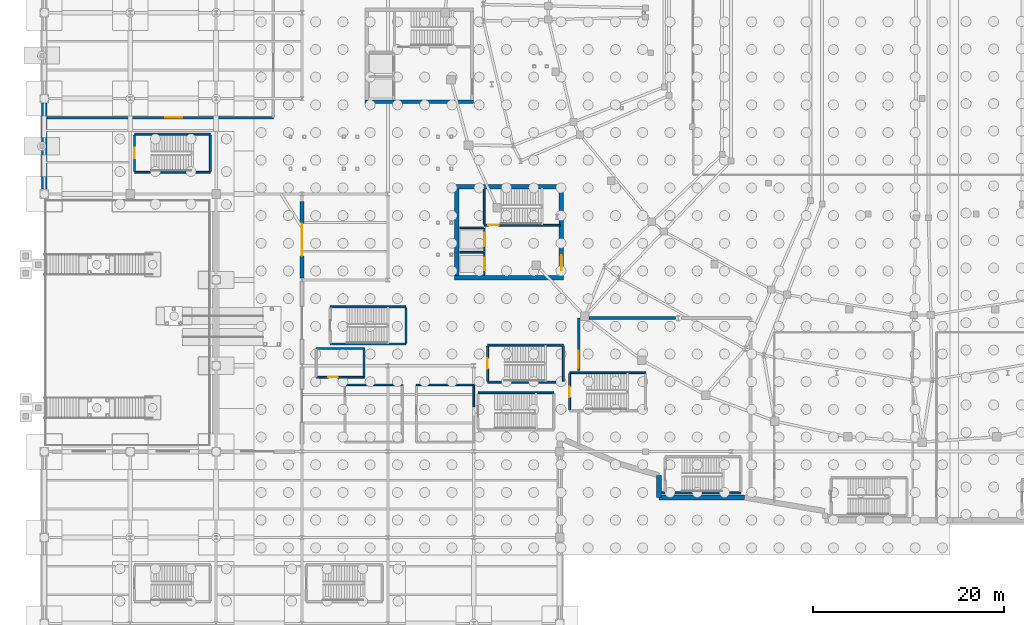
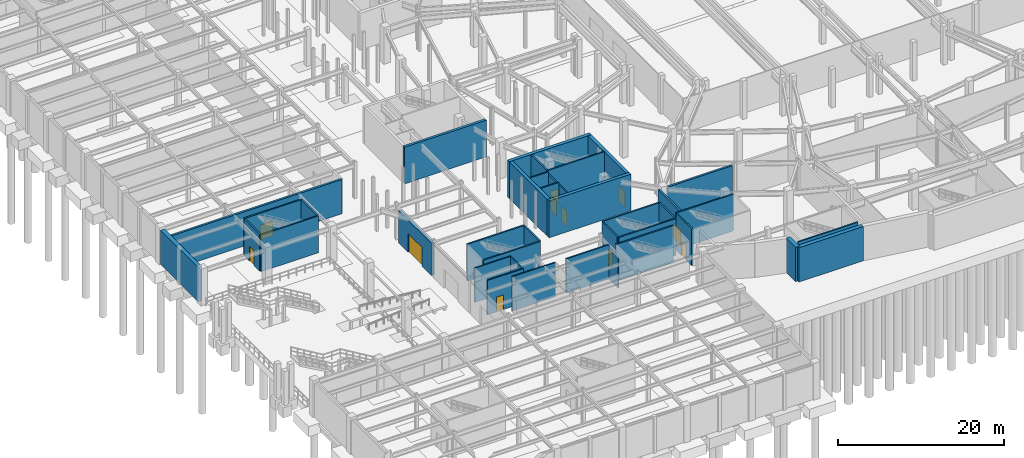
# One storey, part 42 of 56: 39 walls, 11 doors, 11 openings.
"""IFC4 building model written with IfcOpenShell, lengths in metres."""

from ifc_helpers import new_model, si_unit, direction, frame, frame_2d, origin, place, context, subcontext, project, spatial, rectangle, extrude, material, layer, layer_set, type_object, element, fill, save


model = new_model("IFC4")

# Units and contexts
model_context = context("Model", 3, precision=1e-05, world=origin(), true_north=direction((0.0, 1.0)))
body_context = subcontext(model_context, "Body", "Model", "MODEL_VIEW")
ifc_project = project(units=[si_unit("LENGTHUNIT", "METRE"), si_unit("AREAUNIT", "SQUARE_METRE"), si_unit("VOLUMEUNIT", "CUBIC_METRE"), si_unit("PLANEANGLEUNIT", "RADIAN"), si_unit("MASSUNIT", "GRAM", prefix="KILO")], contexts=[model_context])

# Site, building, storey
site_placement = place(None, origin())
site = spatial("IfcSite", under=ifc_project, at=site_placement, CompositionType="ELEMENT")
building_placement = place(site_placement, origin())
building = spatial("IfcBuilding", under=site, at=building_placement, Name="Glasvene Arena", CompositionType="ELEMENT")
storey_placement = place(building_placement, frame((0.0, 0.0, -5.39990234375)))
storey = spatial("IfcBuildingStorey", under=building, at=storey_placement, Name="B1", CompositionType="ELEMENT", Elevation=-5.39990234375)

# Walls
ifc_material_1 = material(Name="Concrete C40/50", Category="concrete")
ifc_layer_1 = layer(ifc_material_1, 0.35009765625)
ifc_layer_set_1 = layer_set([ifc_layer_1], Name="Concrete C40/50")
wall_type_1 = type_object("IfcWallType", Name="WL-CORE-350", PredefinedType="SHEAR", material=ifc_layer_set_1)
wall_1_placement = place(storey_placement, frame((33.60009765625, 63.675048828125, 0.0), z_axis=(0.0, 0.0, 1.0), x_axis=(1.0, 0.0, 0.0)))
element("IfcWall", 1, at=wall_1_placement, inside=storey, type_object=wall_type_1, Name="Core C5 West Media shear wall S B1", PredefinedType="SHEAR", context=body_context, shape_type="SweptSolid", body=[
    extrude(rectangle(XDim=11.39990234375, YDim=0.35009765625, at=frame_2d((5.699951171875, 0.0))), origin(), (0.0, 0.0, 1.0), 5.39990234375),
])
ifc_layer_2 = layer(ifc_material_1, 0.449951171875)
ifc_layer_set_2 = layer_set([ifc_layer_2], Name="Concrete C40/50")
wall_type_2 = type_object("IfcWallType", Name="WL-CORE-450", PredefinedType="SHEAR", material=ifc_layer_set_2)
for number, where, z_axis, x_axis, name in (
    (2, (43.0, 45.22509765625, 0.0), (0.0, 0.0, 1.0), (1.0, 0.0, 0.0), "Core C3 South-West shear wall S B1"),
    (3, (43.0, 54.77490234375, 0.0), (0.0, 0.0, 1.0), (1.0, 0.0, 0.0), "Core C3 South-West shear wall N B1"),
):
    element("IfcWall", number, at=place(storey_placement, frame(where, z_axis=z_axis, x_axis=x_axis)), inside=storey, type_object=wall_type_2, Name=name, PredefinedType="SHEAR", context=body_context, shape_type="SweptSolid", body=[
        extrude(rectangle(XDim=11.39990234375, YDim=0.449951171875, at=frame_2d((5.699951171875, 0.0))), origin(), (0.0, 0.0, 1.0), 5.39990234375),
    ])
wall_2_placement = place(storey_placement, frame((43.22509765625, 45.449951171875, 0.0), z_axis=(0.0, 0.0, 1.0), x_axis=(0.0, 1.0, 0.0)))
element("IfcWall", 4, at=wall_2_placement, inside=storey, type_object=wall_type_2, Name="Core C3 South-West shear wall W B1", PredefinedType="SHEAR", context=body_context, shape_type="SweptSolid", body=[
    extrude(rectangle(XDim=9.10009765625, YDim=0.449951171875, at=frame_2d((4.550048828125, 0.0))), origin(), (0.0, 0.0, 1.0), 5.39990234375),
])

# Wall, opening, door
wall_3_placement = place(storey_placement, frame((54.175048828125, 45.449951171875, 0.0), z_axis=(0.0, 0.0, 1.0), x_axis=(0.0, 1.0, 0.0)))
wall_3 = element("IfcWall", 5, at=wall_3_placement, inside=storey, type_object=wall_type_2, Name="Core C3 South-West shear wall E B1", PredefinedType="SHEAR", context=body_context, shape_type="SweptSolid", body=[
    extrude(rectangle(XDim=9.10009765625, YDim=0.449951171875, at=frame_2d((4.550048828125, 0.0))), origin(), (0.0, 0.0, 1.0), 5.39990234375),
])
opening_1_placement = place(wall_3_placement, frame((0.550048828125, 0.0, 0.0)))
opening_1 = element("IfcOpeningElement", 6, at=opening_1_placement, cuts=wall_3, Name="Opening D-02", PredefinedType="OPENING", context=body_context, shape_type="SweptSolid", body=[
    extrude(rectangle(XDim=1.60009765625, YDim=2.199951171875, at=frame_2d((0.800048828125, 1.10009765625))), frame((0.0, 0.23486328125, 0.0), z_axis=(0.0, -1.0, 0.0), x_axis=(1.0, 0.0, 0.0)), (0.0, 0.0, 1.0), 0.469970703125),
])
ifc_material_2 = material(Name="Painted fire-resisting steel", Category="steel")
door_type_1 = type_object("IfcDoorType", Name="DR-FD60-1600", OperationType="DOUBLE_DOOR_SINGLE_SWING", PredefinedType="DOOR", material=ifc_material_2)
door_1_placement = place(opening_1_placement, frame((1.60009765625, 0.0, 0.0), z_axis=(0.0, 0.0, 1.0), x_axis=(-1.0, 0.0, 0.0)))
door_1 = element("IfcDoor", 7, at=door_1_placement, inside=storey, type_object=door_type_1, Name="Core firefighting lobby concourse door C3-B1", OperationType="DOUBLE_DOOR_SINGLE_SWING", OverallHeight=2.199951171875, OverallWidth=1.60009765625, PredefinedType="DOOR", context=body_context, shape_type="SweptSolid", body=[
    extrude(rectangle(XDim=1.60009765625, YDim=2.199951171875, at=frame_2d((0.800048828125, 1.10009765625))), frame((0.0, 0.02490234375, 0.0), z_axis=(0.0, -1.0, 0.0), x_axis=(1.0, 0.0, 0.0)), (0.0, 0.0, 1.0), 0.050048828125),
])
fill(opening_1, door_1)

ifc_material_3 = material(Name="Coursed pale Irish limestone", Category="masonry")
ifc_layer_3 = layer(ifc_material_3, 0.39990234375)
ifc_layer_set_3 = layer_set([ifc_layer_3], Name="Coursed pale Irish limestone")
wall_type_3 = type_object("IfcWallType", Name="WL-EXT-LIM-400", PredefinedType="STANDARD", material=ifc_layer_set_3)
wall_4_placement = place(storey_placement, frame((27.0, 45.21044921875, 0.0), z_axis=(0.0, 0.0, 1.0), x_axis=(0.0, 1.0, 0.0)))
wall_4 = element("IfcWall", 8, at=wall_4_placement, inside=storey, type_object=wall_type_3, Name="Metro forecourt limestone portal wall EW-B1-MET-E3", PredefinedType="STANDARD", context=body_context, shape_type="SweptSolid", body=[
    extrude(rectangle(XDim=7.989501953125, YDim=0.39990234375, at=frame_2d((3.99462890625, 0.0))), origin(), (0.0, 0.0, 1.0), 4.73486328125),
])
opening_2_placement = place(wall_4_placement, frame((2.294921875, 0.0, 0.0)))
opening_2 = element("IfcOpeningElement", 9, at=opening_2_placement, cuts=wall_4, Name="Opening E-MET", PredefinedType="OPENING", context=body_context, shape_type="SweptSolid", body=[
    extrude(rectangle(XDim=3.39990234375, YDim=2.75, at=frame_2d((1.699951171875, 1.375))), frame((0.0, 0.2099609375, 0.0), z_axis=(0.0, -1.0, 0.0), x_axis=(1.0, 0.0, 0.0)), (0.0, 0.0, 1.0), 0.419921875),
])
ifc_material_4 = material(Name="Anodised architectural aluminium", Category="aluminium")
door_type_2 = type_object("IfcDoorType", Name="DR-ENT-3400", OperationType="DOUBLE_DOOR_SINGLE_SWING", PredefinedType="DOOR", material=ifc_material_4)
door_2_placement = place(opening_2_placement, frame((3.39990234375, 0.0, 0.0), z_axis=(0.0, 0.0, 1.0), x_axis=(-1.0, 0.0, 0.0)))
door_2 = element("IfcDoor", 10, at=door_2_placement, inside=storey, type_object=door_type_2, Name="Metro concourse arrival entrance M-E3", OperationType="DOUBLE_DOOR_SINGLE_SWING", OverallHeight=2.75, OverallWidth=3.39990234375, PredefinedType="DOOR", context=body_context, shape_type="SweptSolid", body=[
    extrude(rectangle(XDim=3.39990234375, YDim=2.75, at=frame_2d((1.699951171875, 1.375))), frame((0.0, 0.02490234375, 0.0), z_axis=(0.0, -1.0, 0.0), x_axis=(1.0, 0.0, 0.0)), (0.0, 0.0, 1.0), 0.050048828125),
])
fill(opening_2, door_2)

# Walls
ifc_layer_4 = layer(ifc_material_1, 0.550048828125)
ifc_layer_set_4 = layer_set([ifc_layer_4], Name="Concrete C40/50")
wall_type_4 = type_object("IfcWallType", Name="WL-RET-550", PredefinedType="SOLIDWALL", material=ifc_layer_set_4)
wall_5_placement = place(storey_placement, frame((0.0, 54.5, 0.0), z_axis=(0.0, 0.0, 1.0), x_axis=(0.0, 1.0, 0.0)))
element("IfcWall", 11, at=wall_5_placement, inside=storey, type_object=wall_type_4, Name="Basement retaining wall B1-001", PredefinedType="SOLIDWALL", context=body_context, shape_type="SweptSolid", body=[
    extrude(rectangle(XDim=9.048095703125, YDim=0.550048828125, at=frame_2d((4.52392578125, 0.0))), origin(), (0.0, 0.0, 1.0), 5.039794921875),
])
wall_6_placement = place(storey_placement, frame((73.379638671875, 22.199951171875, 0.0), z_axis=(0.0, 0.0, 1.0), x_axis=(-1.0, 0.0, 0.0)))
element("IfcWall", 12, at=wall_6_placement, inside=storey, type_object=wall_type_4, Name="Basement retaining wall B1-058", PredefinedType="SOLIDWALL", context=body_context, shape_type="SweptSolid", body=[
    extrude(rectangle(XDim=8.979736328125, YDim=0.550048828125, at=frame_2d((4.48974609375, 0.0))), origin(), (0.0, 0.0, 1.0), 5.039794921875),
])
wall_7_placement = place(storey_placement, frame((64.39990234375, 22.199951171875, 0.0), z_axis=(0.0, 0.0, 1.0), x_axis=(0.0, 1.0, 0.0)))
element("IfcWall", 13, at=wall_7_placement, inside=storey, type_object=wall_type_4, Name="Basement retaining wall B1-059", PredefinedType="SOLIDWALL", context=body_context, shape_type="SweptSolid", body=[
    extrude(rectangle(XDim=2.314208984375, YDim=0.550048828125, at=frame_2d((1.1572265625, 0.0))), origin(), (0.0, 0.0, 1.0), 5.039794921875),
])

# Wall, opening, door
ifc_layer_5 = layer(ifc_material_1, 0.199951171875)
ifc_layer_set_5 = layer_set([ifc_layer_5], Name="Concrete C40/50")
wall_type_5 = type_object("IfcWallType", Name="WL-SHAFT-200", PredefinedType="SHEAR", material=ifc_layer_set_5)
wall_8_placement = place(storey_placement, frame((46.10009765625, 45.449951171875, 0.0), z_axis=(0.0, 0.0, 1.0), x_axis=(0.0, 1.0, 0.0)))
wall_8 = element("IfcWall", 14, at=wall_8_placement, inside=storey, type_object=wall_type_5, Name="Lift shaft front wall FFL-03 B1", PredefinedType="SHEAR", context=body_context, shape_type="SweptSolid", body=[
    extrude(rectangle(XDim=2.449951171875, YDim=0.199951171875, at=frame_2d((1.22509765625, 0.0))), origin(), (0.0, 0.0, 1.0), 5.039794921875),
])
opening_3_placement = place(wall_8_placement, frame((0.574951171875, 0.0, 0.0)))
opening_3 = element("IfcOpeningElement", 15, at=opening_3_placement, cuts=wall_8, Name="Opening LD-FF", PredefinedType="OPENING", context=body_context, shape_type="SweptSolid", body=[
    extrude(rectangle(XDim=1.300048828125, YDim=2.199951171875, at=frame_2d((0.64990234375, 1.10009765625))), frame((0.0, 0.10986328125, 0.0), z_axis=(0.0, -1.0, 0.0), x_axis=(1.0, 0.0, 0.0)), (0.0, 0.0, 1.0), 0.219970703125),
])
ifc_material_5 = material(Name="Brushed stainless steel", Category="steel")
door_type_3 = type_object("IfcDoorType", Name="LD-FFL-1300", OperationType="DOUBLE_DOOR_SLIDING", PredefinedType="DOOR", material=ifc_material_5)
door_3_placement = place(opening_3_placement, origin())
door_3 = element("IfcDoor", 16, at=door_3_placement, inside=storey, type_object=door_type_3, Name="Lift sliding landing door LD-FFL-03-B1", OperationType="DOUBLE_DOOR_SLIDING", OverallHeight=2.199951171875, OverallWidth=1.300048828125, PredefinedType="DOOR", context=body_context, shape_type="SweptSolid", body=[
    extrude(rectangle(XDim=1.300048828125, YDim=2.199951171875, at=frame_2d((0.64990234375, 1.10009765625))), frame((0.0, 0.02490234375, 0.0), z_axis=(0.0, -1.0, 0.0), x_axis=(1.0, 0.0, 0.0)), (0.0, 0.0, 1.0), 0.050048828125),
])
fill(opening_3, door_3)

wall_9_placement = place(storey_placement, frame((46.10009765625, 48.0, 0.0), z_axis=(0.0, 0.0, 1.0), x_axis=(0.0, 1.0, 0.0)))
wall_9 = element("IfcWall", 17, at=wall_9_placement, inside=storey, type_object=wall_type_5, Name="Lift shaft front wall PL-03 B1", PredefinedType="SHEAR", context=body_context, shape_type="SweptSolid", body=[
    extrude(rectangle(XDim=2.449951171875, YDim=0.199951171875, at=frame_2d((1.22509765625, 0.0))), origin(), (0.0, 0.0, 1.0), 5.039794921875),
])
opening_4_placement = place(wall_9_placement, frame((0.52490234375, 0.0, 0.0)))
opening_4 = element("IfcOpeningElement", 18, at=opening_4_placement, cuts=wall_9, Name="Opening LD-PL", PredefinedType="OPENING", context=body_context, shape_type="SweptSolid", body=[
    extrude(rectangle(XDim=1.39990234375, YDim=2.199951171875, at=frame_2d((0.699951171875, 1.10009765625))), frame((0.0, 0.10986328125, 0.0), z_axis=(0.0, -1.0, 0.0), x_axis=(1.0, 0.0, 0.0)), (0.0, 0.0, 1.0), 0.219970703125),
])
door_type_4 = type_object("IfcDoorType", Name="LD-PL-1400", OperationType="DOUBLE_DOOR_SLIDING", PredefinedType="DOOR", material=ifc_material_5)
door_4_placement = place(opening_4_placement, origin())
door_4 = element("IfcDoor", 19, at=door_4_placement, inside=storey, type_object=door_type_4, Name="Lift sliding landing door LD-PL-03-B1", OperationType="DOUBLE_DOOR_SLIDING", OverallHeight=2.199951171875, OverallWidth=1.39990234375, PredefinedType="DOOR", context=body_context, shape_type="SweptSolid", body=[
    extrude(rectangle(XDim=1.39990234375, YDim=2.199951171875, at=frame_2d((0.699951171875, 1.10009765625))), frame((0.0, 0.02490234375, 0.0), z_axis=(0.0, -1.0, 0.0), x_axis=(1.0, 0.0, 0.0)), (0.0, 0.0, 1.0), 0.050048828125),
])
fill(opening_4, door_4)

wall_10_placement = place(storey_placement, frame((46.10009765625, 50.72998046875, 0.0), z_axis=(0.0, 0.0, 1.0), x_axis=(1.0, 0.0, 0.0)))
wall_10 = element("IfcWall", 20, at=wall_10_placement, inside=storey, type_object=wall_type_5, Name="Escape stair shaft wall ST-03 B1 S", PredefinedType="SHEAR", context=body_context, shape_type="SweptSolid", body=[
    extrude(rectangle(XDim=7.949951171875, YDim=0.199951171875, at=frame_2d((3.97509765625, 0.0))), origin(), (0.0, 0.0, 1.0), 5.39990234375),
])
opening_5_placement = place(wall_10_placement, frame((0.39990234375, 0.0, 0.0)))
opening_5 = element("IfcOpeningElement", 21, at=opening_5_placement, cuts=wall_10, Name="Opening D-04", PredefinedType="OPENING", context=body_context, shape_type="SweptSolid", body=[
    extrude(rectangle(XDim=1.10009765625, YDim=2.14990234375, at=frame_2d((0.550048828125, 1.074951171875))), frame((0.0, 0.10986328125, 0.0), z_axis=(0.0, -1.0, 0.0), x_axis=(1.0, 0.0, 0.0)), (0.0, 0.0, 1.0), 0.219970703125),
])
door_type_5 = type_object("IfcDoorType", Name="DR-FD60-1100", OperationType="NOTDEFINED", PredefinedType="DOOR", material=ifc_material_2)
door_5_placement = place(opening_5_placement, frame((1.10009765625, 0.0, 0.0), z_axis=(0.0, 0.0, 1.0), x_axis=(-1.0, 0.0, 0.0)))
door_5 = element("IfcDoor", 22, at=door_5_placement, inside=storey, type_object=door_type_5, Name="Protected escape stair door ST-03 B1", OperationType="SINGLE_SWING_RIGHT", OverallHeight=2.14990234375, OverallWidth=1.10009765625, PredefinedType="DOOR", context=body_context, shape_type="SweptSolid", body=[
    extrude(rectangle(XDim=1.10009765625, YDim=2.14990234375, at=frame_2d((0.550048828125, 1.074951171875))), frame((0.0, 0.02490234375, 0.0), z_axis=(0.0, -1.0, 0.0), x_axis=(1.0, 0.0, 0.0)), (0.0, 0.0, 1.0), 0.050048828125),
])
fill(opening_5, door_5)

# Walls
wall_11_placement = place(storey_placement, frame((46.10009765625, 50.83203125, 0.0), z_axis=(0.0, 0.0, 1.0), x_axis=(0.0, 1.0, 0.0)))
element("IfcWall", 23, at=wall_11_placement, inside=storey, type_object=wall_type_5, Name="Escape stair shaft wall ST-03 B1 W", PredefinedType="SHEAR", context=body_context, shape_type="SweptSolid", body=[
    extrude(rectangle(XDim=3.68603515625, YDim=0.199951171875, at=frame_2d((1.843017578125, 0.0))), origin(), (0.0, 0.0, 1.0), 5.39990234375),
])
wall_12_placement = place(storey_placement, frame((46.449951171875, 34.280029296875, 0.0), z_axis=(0.0, 0.0, 1.0), x_axis=(1.0, 0.0, 0.0)))
element("IfcWall", 24, at=wall_12_placement, inside=storey, type_object=wall_type_5, Name="Escape stair shaft wall ST-05 B1 S", PredefinedType="SHEAR", context=body_context, shape_type="SweptSolid", body=[
    extrude(rectangle(XDim=7.949951171875, YDim=0.199951171875, at=frame_2d((3.97509765625, 0.0))), origin(), (0.0, 0.0, 1.0), 5.39990234375),
])

# Wall, opening, door
wall_13_placement = place(storey_placement, frame((46.449951171875, 34.382080078125, 0.0), z_axis=(0.0, 0.0, 1.0), x_axis=(0.0, 1.0, 0.0)))
wall_13 = element("IfcWall", 25, at=wall_13_placement, inside=storey, type_object=wall_type_5, Name="Escape stair shaft wall ST-05 B1 W", PredefinedType="SHEAR", context=body_context, shape_type="SweptSolid", body=[
    extrude(rectangle(XDim=3.68603515625, YDim=0.199951171875, at=frame_2d((1.843017578125, 0.0))), origin(), (0.0, 0.0, 1.0), 5.39990234375),
])
opening_6_placement = place(wall_13_placement, frame((1.29296875, 0.0, 0.0)))
opening_6 = element("IfcOpeningElement", 26, at=opening_6_placement, cuts=wall_13, Name="Opening D-04", PredefinedType="OPENING", context=body_context, shape_type="SweptSolid", body=[
    extrude(rectangle(XDim=1.10009765625, YDim=2.14990234375, at=frame_2d((0.550048828125, 1.074951171875))), frame((0.0, 0.10986328125, 0.0), z_axis=(0.0, -1.0, 0.0), x_axis=(1.0, 0.0, 0.0)), (0.0, 0.0, 1.0), 0.219970703125),
])
door_6_placement = place(opening_6_placement, frame((1.10009765625, 0.0, 0.0), z_axis=(0.0, 0.0, 1.0), x_axis=(-1.0, 0.0, 0.0)))
door_6 = element("IfcDoor", 27, at=door_6_placement, inside=storey, type_object=door_type_5, Name="Protected escape stair door ST-05 B1", OperationType="SINGLE_SWING_RIGHT", OverallHeight=2.14990234375, OverallWidth=1.10009765625, PredefinedType="DOOR", context=body_context, shape_type="SweptSolid", body=[
    extrude(rectangle(XDim=1.10009765625, YDim=2.14990234375, at=frame_2d((0.550048828125, 1.074951171875))), frame((0.0, 0.02490234375, 0.0), z_axis=(0.0, -1.0, 0.0), x_axis=(1.0, 0.0, 0.0)), (0.0, 0.0, 1.0), 0.050048828125),
])
fill(opening_6, door_6)

# Walls
wall_14_placement = place(storey_placement, frame((54.39990234375, 34.382080078125, 0.0), z_axis=(0.0, 0.0, 1.0), x_axis=(0.0, 1.0, 0.0)))
element("IfcWall", 28, at=wall_14_placement, inside=storey, type_object=wall_type_5, Name="Escape stair shaft wall ST-05 B1 E", PredefinedType="SHEAR", context=body_context, shape_type="SweptSolid", body=[
    extrude(rectangle(XDim=3.68603515625, YDim=0.199951171875, at=frame_2d((1.843017578125, 0.0))), origin(), (0.0, 0.0, 1.0), 5.39990234375),
])
wall_15_placement = place(storey_placement, frame((46.449951171875, 38.169921875, 0.0), z_axis=(0.0, 0.0, 1.0), x_axis=(1.0, 0.0, 0.0)))
element("IfcWall", 29, at=wall_15_placement, inside=storey, type_object=wall_type_5, Name="Escape stair shaft wall ST-05 B1 N", PredefinedType="SHEAR", context=body_context, shape_type="SweptSolid", body=[
    extrude(rectangle(XDim=7.949951171875, YDim=0.199951171875, at=frame_2d((3.97509765625, 0.0))), origin(), (0.0, 0.0, 1.0), 5.39990234375),
])
wall_16_placement = place(storey_placement, frame((64.677001953125, 22.679931640625, 0.0), z_axis=(0.0, 0.0, 1.0), x_axis=(1.0, 0.0, 0.0)))
element("IfcWall", 30, at=wall_16_placement, inside=storey, type_object=wall_type_5, Name="Escape stair shaft wall ST-08 B1 S", PredefinedType="SHEAR", context=body_context, shape_type="SweptSolid", body=[
    extrude(rectangle(XDim=8.322998046875, YDim=0.199951171875, at=frame_2d((4.16162109375, 0.0))), origin(), (0.0, 0.0, 1.0), 5.39990234375),
])
wall_17_placement = place(storey_placement, frame((9.449951171875, 56.280029296875, 0.0), z_axis=(0.0, 0.0, 1.0), x_axis=(1.0, 0.0, 0.0)))
element("IfcWall", 31, at=wall_17_placement, inside=storey, type_object=wall_type_5, Name="Escape stair shaft wall ST-13 B1 S", PredefinedType="SHEAR", context=body_context, shape_type="SweptSolid", body=[
    extrude(rectangle(XDim=7.949951171875, YDim=0.199951171875, at=frame_2d((3.97509765625, 0.0))), origin(), (0.0, 0.0, 1.0), 5.39990234375),
])

# Wall, opening, door
wall_18_placement = place(storey_placement, frame((9.449951171875, 56.382080078125, 0.0), z_axis=(0.0, 0.0, 1.0), x_axis=(0.0, 1.0, 0.0)))
wall_18 = element("IfcWall", 32, at=wall_18_placement, inside=storey, type_object=wall_type_5, Name="Escape stair shaft wall ST-13 B1 W", PredefinedType="SHEAR", context=body_context, shape_type="SweptSolid", body=[
    extrude(rectangle(XDim=3.785888671875, YDim=0.199951171875, at=frame_2d((1.89306640625, 0.0))), origin(), (0.0, 0.0, 1.0), 5.39990234375),
])
opening_7_placement = place(wall_18_placement, frame((1.343017578125, 0.0, 0.0)))
opening_7 = element("IfcOpeningElement", 33, at=opening_7_placement, cuts=wall_18, Name="Opening D-04", PredefinedType="OPENING", context=body_context, shape_type="SweptSolid", body=[
    extrude(rectangle(XDim=1.10009765625, YDim=2.14990234375, at=frame_2d((0.550048828125, 1.074951171875))), frame((0.0, 0.10986328125, 0.0), z_axis=(0.0, -1.0, 0.0), x_axis=(1.0, 0.0, 0.0)), (0.0, 0.0, 1.0), 0.219970703125),
])
door_7_placement = place(opening_7_placement, frame((1.10009765625, 0.0, 0.0), z_axis=(0.0, 0.0, 1.0), x_axis=(-1.0, 0.0, 0.0)))
door_7 = element("IfcDoor", 34, at=door_7_placement, inside=storey, type_object=door_type_5, Name="Protected escape stair door ST-13 B1", OperationType="SINGLE_SWING_RIGHT", OverallHeight=2.14990234375, OverallWidth=1.10009765625, PredefinedType="DOOR", context=body_context, shape_type="SweptSolid", body=[
    extrude(rectangle(XDim=1.10009765625, YDim=2.14990234375, at=frame_2d((0.550048828125, 1.074951171875))), frame((0.0, 0.02490234375, 0.0), z_axis=(0.0, -1.0, 0.0), x_axis=(1.0, 0.0, 0.0)), (0.0, 0.0, 1.0), 0.050048828125),
])
fill(opening_7, door_7)

# Walls
wall_19_placement = place(storey_placement, frame((17.39990234375, 56.382080078125, 0.0), z_axis=(0.0, 0.0, 1.0), x_axis=(0.0, 1.0, 0.0)))
element("IfcWall", 35, at=wall_19_placement, inside=storey, type_object=wall_type_5, Name="Escape stair shaft wall ST-13 B1 E", PredefinedType="SHEAR", context=body_context, shape_type="SweptSolid", body=[
    extrude(rectangle(XDim=3.785888671875, YDim=0.199951171875, at=frame_2d((1.89306640625, 0.0))), origin(), (0.0, 0.0, 1.0), 5.39990234375),
])
for number, where, z_axis, x_axis, name in (
    (36, (9.449951171875, 60.27001953125, 0.0), (0.0, 0.0, 1.0), (1.0, 0.0, 0.0), "Escape stair shaft wall ST-13 B1 N"),
    (37, (29.949951171875, 38.280029296875, 0.0), (0.0, 0.0, 1.0), (1.0, 0.0, 0.0), "Escape stair shaft wall ST-15 B1 S"),
):
    element("IfcWall", number, at=place(storey_placement, frame(where, z_axis=z_axis, x_axis=x_axis)), inside=storey, type_object=wall_type_5, Name=name, PredefinedType="SHEAR", context=body_context, shape_type="SweptSolid", body=[
        extrude(rectangle(XDim=7.949951171875, YDim=0.199951171875, at=frame_2d((3.97509765625, 0.0))), origin(), (0.0, 0.0, 1.0), 5.39990234375),
    ])
wall_20_placement = place(storey_placement, frame((37.89990234375, 38.382080078125, 0.0), z_axis=(0.0, 0.0, 1.0), x_axis=(0.0, 1.0, 0.0)))
element("IfcWall", 38, at=wall_20_placement, inside=storey, type_object=wall_type_5, Name="Escape stair shaft wall ST-15 B1 E", PredefinedType="SHEAR", context=body_context, shape_type="SweptSolid", body=[
    extrude(rectangle(XDim=3.68603515625, YDim=0.199951171875, at=frame_2d((1.843017578125, 0.0))), origin(), (0.0, 0.0, 1.0), 5.39990234375),
])
for number, where, z_axis, x_axis, name in (
    (39, (29.949951171875, 42.169921875, 0.0), (0.0, 0.0, 1.0), (1.0, 0.0, 0.0), "Escape stair shaft wall ST-15 B1 N"),
    (40, (45.449951171875, 33.169921875, 0.0), (0.0, 0.0, 1.0), (1.0, 0.0, 0.0), "Escape stair shaft wall ST-16 B1 N"),
):
    element("IfcWall", number, at=place(storey_placement, frame(where, z_axis=z_axis, x_axis=x_axis)), inside=storey, type_object=wall_type_5, Name=name, PredefinedType="SHEAR", context=body_context, shape_type="SweptSolid", body=[
        extrude(rectangle(XDim=7.949951171875, YDim=0.199951171875, at=frame_2d((3.97509765625, 0.0))), origin(), (0.0, 0.0, 1.0), 5.39990234375),
    ])

# Wall, opening, door
wall_21_placement = place(storey_placement, frame((55.050048828125, 31.382080078125, 0.0), z_axis=(0.0, 0.0, 1.0), x_axis=(0.0, 1.0, 0.0)))
wall_21 = element("IfcWall", 41, at=wall_21_placement, inside=storey, type_object=wall_type_5, Name="Escape stair shaft wall ST-B06 B1 W", PredefinedType="SHEAR", context=body_context, shape_type="SweptSolid", body=[
    extrude(rectangle(XDim=3.785888671875, YDim=0.199951171875, at=frame_2d((1.89306640625, 0.0))), origin(), (0.0, 0.0, 1.0), 5.39990234375),
])
opening_8_placement = place(wall_21_placement, frame((1.343017578125, 0.0, 0.0)))
opening_8 = element("IfcOpeningElement", 42, at=opening_8_placement, cuts=wall_21, Name="Opening D-04", PredefinedType="OPENING", context=body_context, shape_type="SweptSolid", body=[
    extrude(rectangle(XDim=1.10009765625, YDim=2.14990234375, at=frame_2d((0.550048828125, 1.074951171875))), frame((0.0, 0.10986328125, 0.0), z_axis=(0.0, -1.0, 0.0), x_axis=(1.0, 0.0, 0.0)), (0.0, 0.0, 1.0), 0.219970703125),
])
door_8_placement = place(opening_8_placement, frame((1.10009765625, 0.0, 0.0), z_axis=(0.0, 0.0, 1.0), x_axis=(-1.0, 0.0, 0.0)))
door_8 = element("IfcDoor", 43, at=door_8_placement, inside=storey, type_object=door_type_5, Name="Protected escape stair door ST-B06 B1", OperationType="SINGLE_SWING_RIGHT", OverallHeight=2.14990234375, OverallWidth=1.10009765625, PredefinedType="DOOR", context=body_context, shape_type="SweptSolid", body=[
    extrude(rectangle(XDim=1.10009765625, YDim=2.14990234375, at=frame_2d((0.550048828125, 1.074951171875))), frame((0.0, 0.02490234375, 0.0), z_axis=(0.0, -1.0, 0.0), x_axis=(1.0, 0.0, 0.0)), (0.0, 0.0, 1.0), 0.050048828125),
])
fill(opening_8, door_8)

# Wall
wall_22_placement = place(storey_placement, frame((55.050048828125, 35.27001953125, 0.0), z_axis=(0.0, 0.0, 1.0), x_axis=(1.0, 0.0, 0.0)))
element("IfcWall", 44, at=wall_22_placement, inside=storey, type_object=wall_type_5, Name="Escape stair shaft wall ST-B06 B1 N", PredefinedType="SHEAR", context=body_context, shape_type="SweptSolid", body=[
    extrude(rectangle(XDim=7.949951171875, YDim=0.199951171875, at=frame_2d((3.97509765625, 0.0))), origin(), (0.0, 0.0, 1.0), 5.39990234375),
])

# Wall, opening, door
ifc_material_6 = material(Name="Twin-frame acoustic gypsum partition")
ifc_layer_6 = layer(ifc_material_6, 0.280029296875)
ifc_layer_set_6 = layer_set([ifc_layer_6], Name="Twin-frame acoustic gypsum partition")
wall_type_6 = type_object("IfcWallType", Name="WL-STUDIO-280", PredefinedType="PARTITIONING", material=ifc_layer_set_6)
wall_23_placement = place(storey_placement, frame((56.0, 35.5, 0.0), z_axis=(0.0, 0.0, 1.0), x_axis=(0.0, 1.0, 0.0)))
wall_23 = element("IfcWall", 45, at=wall_23_placement, inside=storey, type_object=wall_type_6, Name="Interior partition wall IW-B1-0010 (Home Team Athlete Changing)", PredefinedType="PARTITIONING", context=body_context, shape_type="SweptSolid", body=[
    extrude(rectangle(XDim=5.5, YDim=0.280029296875, at=frame_2d((2.75, 0.0))), origin(), (0.0, 0.0, 1.0), 5.039794921875),
])
opening_9_placement = place(wall_23_placement, frame((0.25, 0.0, 0.0)))
opening_9 = element("IfcOpeningElement", 46, at=opening_9_placement, cuts=wall_23, Name="Opening D-01", PredefinedType="OPENING", context=body_context, shape_type="SweptSolid", body=[
    extrude(rectangle(XDim=1.800048828125, YDim=2.199951171875, at=frame_2d((0.89990234375, 1.10009765625))), frame((0.0, 0.14990234375, 0.0), z_axis=(0.0, -1.0, 0.0), x_axis=(1.0, 0.0, 0.0)), (0.0, 0.0, 1.0), 0.300048828125),
])
door_type_6 = type_object("IfcDoorType", Name="DR-FD60-1800", OperationType="DOUBLE_DOOR_SINGLE_SWING", PredefinedType="DOOR", material=ifc_material_2)
door_9_placement = place(opening_9_placement, origin())
door_9 = element("IfcDoor", 47, at=door_9_placement, inside=storey, type_object=door_type_6, Name="Interior door DR-FD60-1800 (Home Team Athlete Changing)", OperationType="DOUBLE_DOOR_SINGLE_SWING", OverallHeight=2.199951171875, OverallWidth=1.800048828125, PredefinedType="DOOR", context=body_context, shape_type="SweptSolid", body=[
    extrude(rectangle(XDim=1.800048828125, YDim=2.199951171875, at=frame_2d((0.89990234375, 1.10009765625))), frame((0.0, 0.02490234375, 0.0), z_axis=(0.0, -1.0, 0.0), x_axis=(1.0, 0.0, 0.0)), (0.0, 0.0, 1.0), 0.050048828125),
])
fill(opening_9, door_9)

# Wall
wall_24_placement = place(storey_placement, frame((57.0986328125, 41.0, 0.0), z_axis=(0.0, 0.0, 1.0), x_axis=(1.0, 0.0, 0.0)))
element("IfcWall", 48, at=wall_24_placement, inside=storey, type_object=wall_type_6, Name="Interior partition wall IW-B1-0011 (Home Team Athlete Changing)", PredefinedType="PARTITIONING", context=body_context, shape_type="SweptSolid", body=[
    extrude(rectangle(XDim=9.0234375, YDim=0.280029296875, at=frame_2d((4.51171875, 0.0))), origin(), (0.0, 0.0, 1.0), 5.039794921875),
])

# Wall, opening, door
wall_25_placement = place(storey_placement, frame((24.0, 62.0, 0.0), z_axis=(0.0, 0.0, 1.0), x_axis=(-1.0, 0.0, 0.0)))
wall_25 = element("IfcWall", 49, at=wall_25_placement, inside=storey, type_object=wall_type_6, Name="Interior partition wall IW-B1-0048 (Athlete Strength and Conditioning Gym)", PredefinedType="PARTITIONING", context=body_context, shape_type="SweptSolid", body=[
    extrude(rectangle(XDim=23.9599609375, YDim=0.280029296875, at=frame_2d((11.97998046875, 0.0))), origin(), (0.0, 0.0, 1.0), 5.039794921875),
])
opening_10_placement = place(wall_25_placement, frame((9.549072265625, 0.0, 0.0)))
opening_10 = element("IfcOpeningElement", 50, at=opening_10_placement, cuts=wall_25, Name="Opening D-01", PredefinedType="OPENING", context=body_context, shape_type="SweptSolid", body=[
    extrude(rectangle(XDim=1.800048828125, YDim=2.199951171875, at=frame_2d((0.89990234375, 1.10009765625))), frame((0.0, 0.14990234375, 0.0), z_axis=(0.0, -1.0, 0.0), x_axis=(1.0, 0.0, 0.0)), (0.0, 0.0, 1.0), 0.300048828125),
])
door_10_placement = place(opening_10_placement, origin())
door_10 = element("IfcDoor", 51, at=door_10_placement, inside=storey, type_object=door_type_6, Name="Interior door DR-FD60-1800 (Athlete Strength and Conditioning Gym)", OperationType="DOUBLE_DOOR_SINGLE_SWING", OverallHeight=2.199951171875, OverallWidth=1.800048828125, PredefinedType="DOOR", context=body_context, shape_type="SweptSolid", body=[
    extrude(rectangle(XDim=1.800048828125, YDim=2.199951171875, at=frame_2d((0.89990234375, 1.10009765625))), frame((0.0, 0.02490234375, 0.0), z_axis=(0.0, -1.0, 0.0), x_axis=(1.0, 0.0, 0.0)), (0.0, 0.0, 1.0), 0.050048828125),
])
fill(opening_10, door_10)

# Walls
ifc_material_7 = material(Name="Moisture-resistant masonry blockwork", Category="masonry")
ifc_layer_7 = layer(ifc_material_7, 0.179931640625)
ifc_layer_set_7 = layer_set([ifc_layer_7], Name="Moisture-resistant masonry blockwork")
wall_type_7 = type_object("IfcWallType", Name="WL-WET-180", PredefinedType="PARTITIONING", material=ifc_layer_set_7)
for number, where, z_axis, x_axis, name in (
    (52, (43.550048828125, 47.89990234375, 0.0), (0.0, 0.0, 1.0), (1.0, 0.0, 0.0), "Lift shaft divider wall C3 B1"),
    (53, (43.550048828125, 50.449951171875, 0.0), (0.0, 0.0, 1.0), (1.0, 0.0, 0.0), "Lift shaft north enclosure wall C3 B1"),
):
    element("IfcWall", number, at=place(storey_placement, frame(where, z_axis=z_axis, x_axis=x_axis)), inside=storey, type_object=wall_type_7, Name=name, PredefinedType="PARTITIONING", context=body_context, shape_type="SweptSolid", body=[
        extrude(rectangle(XDim=2.449951171875, YDim=0.179931640625, at=frame_2d((1.22509765625, 0.0))), origin(), (0.0, 0.0, 1.0), 5.39990234375),
    ])
for number, where, z_axis, x_axis, name in (
    (54, (31.5, 34.0, 0.0), (0.0, 0.0, 1.0), (1.0, 0.0, 0.0), "Interior partition wall IW-B1-0033 (Metro Concourse Public Male WC)"),
    (55, (39.0, 34.0, 0.0), (0.0, 0.0, 1.0), (1.0, 0.0, 0.0), "Interior partition wall IW-B1-0037 (Metro Concourse Public Female WC)"),
):
    element("IfcWall", number, at=place(storey_placement, frame(where, z_axis=z_axis, x_axis=x_axis)), inside=storey, type_object=wall_type_7, Name=name, PredefinedType="PARTITIONING", context=body_context, shape_type="SweptSolid", body=[
        extrude(rectangle(XDim=6.0, YDim=0.179931640625, at=frame_2d((3.0, 0.0))), origin(), (0.0, 0.0, 1.0), 5.039794921875),
    ])
wall_26_placement = place(storey_placement, frame((45.0, 34.0, 0.0), z_axis=(0.0, 0.0, 1.0), x_axis=(0.0, -1.0, 0.0)))
element("IfcWall", 56, at=wall_26_placement, inside=storey, type_object=wall_type_7, Name="Interior partition wall IW-B1-0038 (Metro Concourse Public Female WC)", PredefinedType="PARTITIONING", context=body_context, shape_type="SweptSolid", body=[
    extrude(rectangle(XDim=2.28271484375, YDim=0.179931640625, at=frame_2d((1.141357421875, 0.0))), origin(), (0.0, 0.0, 1.0), 4.42724609375),
])
wall_27_placement = place(storey_placement, frame((33.5, 34.800048828125, 0.0), z_axis=(0.0, 0.0, 1.0), x_axis=(0.0, 1.0, 0.0)))
element("IfcWall", 57, at=wall_27_placement, inside=storey, type_object=wall_type_7, Name="Interior partition wall IW-B1-0042 (Metro Concourse Accessible WC)", PredefinedType="PARTITIONING", context=body_context, shape_type="SweptSolid", body=[
    extrude(rectangle(XDim=3.0, YDim=0.179931640625, at=frame_2d((1.5, 0.0))), origin(), (0.0, 0.0, 1.0), 5.039794921875),
])
wall_28_placement = place(storey_placement, frame((33.5, 37.800048828125, 0.0), z_axis=(0.0, 0.0, 1.0), x_axis=(-1.0, 0.0, 0.0)))
element("IfcWall", 58, at=wall_28_placement, inside=storey, type_object=wall_type_7, Name="Interior partition wall IW-B1-0043 (Metro Concourse Accessible WC)", PredefinedType="PARTITIONING", context=body_context, shape_type="SweptSolid", body=[
    extrude(rectangle(XDim=5.0, YDim=0.179931640625, at=frame_2d((2.5, 0.0))), origin(), (0.0, 0.0, 1.0), 5.039794921875),
])

# Wall, opening, door
wall_29_placement = place(storey_placement, frame((28.5, 34.800048828125, 0.0), z_axis=(0.0, 0.0, 1.0), x_axis=(1.0, 0.0, 0.0)))
wall_29 = element("IfcWall", 59, at=wall_29_placement, inside=storey, type_object=wall_type_7, Name="Interior partition wall IW-B1-0045 (Metro Concourse Accessible WC)", PredefinedType="PARTITIONING", context=body_context, shape_type="SweptSolid", body=[
    extrude(rectangle(XDim=5.0, YDim=0.179931640625, at=frame_2d((2.5, 0.0))), origin(), (0.0, 0.0, 1.0), 5.039794921875),
])
opening_11_placement = place(wall_29_placement, frame((1.25, 0.0, 0.0)))
opening_11 = element("IfcOpeningElement", 60, at=opening_11_placement, cuts=wall_29, Name="Opening D-06", PredefinedType="OPENING", context=body_context, shape_type="SweptSolid", body=[
    extrude(rectangle(XDim=1.0, YDim=2.14990234375, at=frame_2d((0.5, 1.074951171875))), frame((0.0, 0.10009765625, 0.0), z_axis=(0.0, -1.0, 0.0), x_axis=(1.0, 0.0, 0.0)), (0.0, 0.0, 1.0), 0.199951171875),
])
ifc_material_8 = material(Name="European oak fire-resisting timber", Category="wood")
door_type_7 = type_object("IfcDoorType", Name="DR-FD30-1000", OperationType="NOTDEFINED", PredefinedType="DOOR", material=ifc_material_8)
door_11_placement = place(opening_11_placement, origin())
door_11 = element("IfcDoor", 61, at=door_11_placement, inside=storey, type_object=door_type_7, Name="Interior door DR-FD30-1000 (Metro Concourse Accessible WC)", OperationType="SINGLE_SWING_LEFT", OverallHeight=2.14990234375, OverallWidth=1.0, PredefinedType="DOOR", context=body_context, shape_type="SweptSolid", body=[
    extrude(rectangle(XDim=1.0, YDim=2.14990234375, at=frame_2d((0.5, 1.074951171875))), frame((0.0, 0.02490234375, 0.0), z_axis=(0.0, -1.0, 0.0), x_axis=(1.0, 0.0, 0.0)), (0.0, 0.0, 1.0), 0.050048828125),
])
fill(opening_11, door_11)

save(model, "model.ifc")
